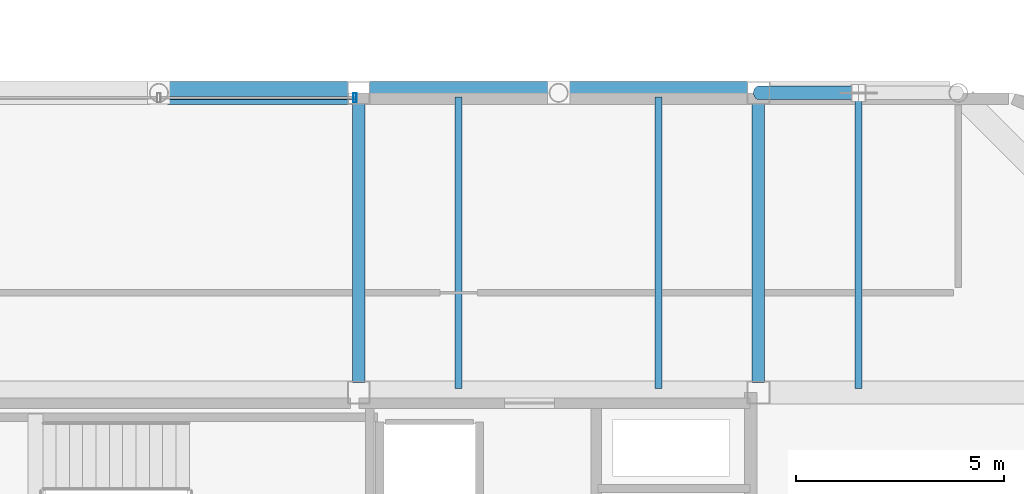
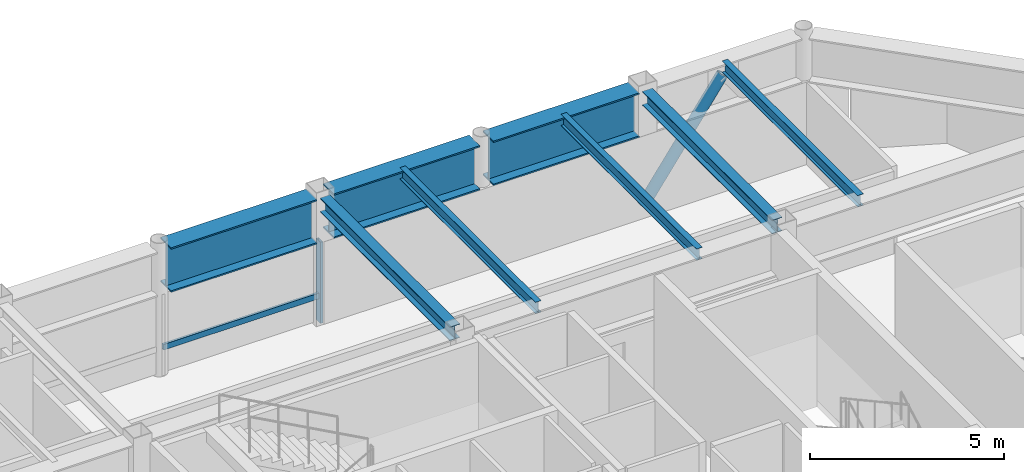
# One storey, part 14 of 23: 8 beams, 3 members, 1 element without a shape of its own.
"""IFC4 building model written with IfcOpenShell, lengths in metres."""

from ifc_helpers import new_model, si_unit, direction, frame, origin, origin_2d, place, context, subcontext, project, spatial, hollow_rectangle, hollow_circle, i_section, extrude, material, layer, layer_set, material_profile, profile_set, type_object, element, aggregate, save


model = new_model("IFC4")

# Units and contexts
model_context = context("Model", 3, precision=1e-05, world=origin(), true_north=direction((0.0, 1.0)))
body_context = subcontext(model_context, "Body", "Model", "MODEL_VIEW")
ifc_project = project(units=[si_unit("LENGTHUNIT", "METRE"), si_unit("AREAUNIT", "SQUARE_METRE"), si_unit("VOLUMEUNIT", "CUBIC_METRE"), si_unit("PLANEANGLEUNIT", "RADIAN"), si_unit("MASSUNIT", "GRAM", prefix="KILO")], contexts=[model_context])

# Site, building, storey
site_placement = place(None, origin())
site = spatial("IfcSite", under=ifc_project, at=site_placement, CompositionType="ELEMENT")
building_placement = place(site_placement, origin())
building = spatial("IfcBuilding", under=site, at=building_placement, Name="Kallvorn Hotel Tower", CompositionType="ELEMENT")
storey_placement = place(building_placement, frame((0.0, 0.0, 282.199951171875)))
storey = spatial("IfcBuildingStorey", under=building, at=storey_placement, Name="L70", CompositionType="ELEMENT", Elevation=282.199951171875)

# Beams
ifc_material_1 = material(Name="Structural steel S355JR", Category="steel")
ifc_material_profile_1 = material_profile(ifc_material_1, i_section(OverallWidth=0.300048828125, OverallDepth=0.43994140625, WebThickness=0.011474609375, FlangeThickness=0.02099609375, at=origin_2d()), Name="HE 450 A")
ifc_profile_set_1 = profile_set([ifc_material_profile_1], Name="Structural steel S355JR")
beam_type_1 = type_object("IfcBeamType", Name="BM_HE450A", PredefinedType="BEAM", material=ifc_profile_set_1)
for number, where, z_axis, x_axis, name in (
    (1, (4.800048828125, 7.449951171875, 3.780029296875), (0.0, 1.0, 0.0), (-1.0, 0.0, 0.0), "L71 Primary Y-Girder 42"),
    (2, (14.39990234375, 7.449951171875, 3.780029296875), (0.0, 1.0, 0.0), (-1.0, 0.0, 0.0), "L71 Primary Y-Girder 45"),
):
    element("IfcBeam", number, at=place(storey_placement, frame(where, z_axis=z_axis, x_axis=x_axis)), inside=storey, type_object=beam_type_1, Name=name, PredefinedType="BEAM", context=body_context, shape_type="SweptSolid", body=[
        extrude(i_section(OverallWidth=0.300048828125, OverallDepth=0.43994140625, WebThickness=0.011474609375, FlangeThickness=0.02099609375, at=origin_2d()), origin(), (0.0, 0.0, 1.0), 6.699951171875),
    ])
ifc_material_2 = material(Name="Structural steel S355JR", Category="steel")
ifc_material_profile_2 = material_profile(ifc_material_2, i_section(OverallWidth=0.169921875, OverallDepth=0.360107421875, WebThickness=0.008056640625, FlangeThickness=0.0126953125, at=origin_2d()), Name="IPE 360")
ifc_profile_set_2 = profile_set([ifc_material_profile_2], Name="Structural steel S355JR")
beam_type_2 = type_object("IfcBeamType", Name="BM_IPE360", PredefinedType="JOIST", material=ifc_profile_set_2)
for number, where, z_axis, x_axis, name in (
    (3, (7.199951171875, 7.300048828125, 3.820068359375), (0.0, 1.0, 0.0), (-1.0, 0.0, 0.0), "L71 Secondary Composite Joist 100"),
    (4, (12.0, 7.300048828125, 3.820068359375), (0.0, 1.0, 0.0), (-1.0, 0.0, 0.0), "L71 Secondary Composite Joist 102"),
    (5, (16.800048828125, 7.300048828125, 3.820068359375), (0.0, 1.0, 0.0), (-1.0, 0.0, 0.0), "L71 Secondary Composite Joist 104"),
):
    element("IfcBeam", number, at=place(storey_placement, frame(where, z_axis=z_axis, x_axis=x_axis)), inside=storey, type_object=beam_type_2, Name=name, PredefinedType="JOIST", context=body_context, shape_type="SweptSolid", body=[
        extrude(i_section(OverallWidth=0.169921875, OverallDepth=0.360107421875, WebThickness=0.008056640625, FlangeThickness=0.0126953125, at=origin_2d()), origin(), (0.0, 0.0, 1.0), 7.0),
    ])
ifc_material_3 = material(Name="Structural steel S355JR", Category="steel")
ifc_material_profile_3 = material_profile(ifc_material_3, i_section(OverallWidth=0.550048828125, OverallDepth=1.39990234375, WebThickness=0.02490234375, FlangeThickness=0.044921875, at=origin_2d()), Name="PG 1400x550x25x45")
ifc_profile_set_3 = profile_set([ifc_material_profile_3], Name="Structural steel S355JR")
beam_type_3 = type_object("IfcBeamType", Name="BM_PG_1400", PredefinedType="BEAM", material=ifc_profile_set_3)
for number, where, z_axis, x_axis, name in (
    (6, (0.20361328125, 14.39990234375, 3.300048828125), (1.0, 0.0, 0.0), (0.0, 1.0, 0.0), "L71 Primary X-Girder 21"),
    (7, (5.050048828125, 14.39990234375, 3.300048828125), (1.0, 0.0, 0.0), (0.0, 1.0, 0.0), "L71 Primary X-Girder 22"),
    (8, (9.803466796875, 14.39990234375, 3.300048828125), (1.0, 0.0, 0.0), (0.0, 1.0, 0.0), "L71 Primary X-Girder 23"),
):
    element("IfcBeam", number, at=place(storey_placement, frame(where, z_axis=z_axis, x_axis=x_axis)), inside=storey, type_object=beam_type_3, Name=name, PredefinedType="BEAM", context=body_context, shape_type="SweptSolid", body=[
        extrude(i_section(OverallWidth=0.550048828125, OverallDepth=1.39990234375, WebThickness=0.02490234375, FlangeThickness=0.044921875, at=origin_2d()), origin(), (0.0, 0.0, 1.0), 4.346435546875),
    ])

# Curtain wall, members
ifc_material_4 = material(Name="Thermally broken black-anodised aluminium AA 6063-T6", Category="aluminium")
ifc_layer = layer(ifc_material_4, 0.25)
ifc_layer_set = layer_set([ifc_layer], Name="CW_SYS_6_SUMMIT_OBS")
curtain_wall_type = type_object("IfcCurtainWallType", Name="CW_SYS_6_SUMMIT_OBS", PredefinedType="USERDEFINED", material=ifc_layer_set)
curtain_wall_placement = place(storey_placement, origin())
curtain_wall = element("IfcCurtainWall", 9, at=curtain_wall_placement, inside=storey, type_object=curtain_wall_type, Name="L70 Dark-Glass Curtain Wall CW-L70-NC", ObjectType="UNITISED CURTAIN WALL", PredefinedType="USERDEFINED")
ifc_material_5 = material(Name="Thermally broken black-anodised aluminium AA 6063-T6", Category="aluminium")
ifc_material_profile_4 = material_profile(ifc_material_5, hollow_rectangle(XDim=0.080078125, YDim=0.219970703125, WallThickness=0.0048828125, at=origin_2d()), Name="MUL 220x80")
ifc_profile_set_4 = profile_set([ifc_material_profile_4], Name="Thermally broken black-anodised aluminium AA 6063-T6")
member_type_1 = type_object("IfcMemberType", Name="CW_MULLION_220x80", PredefinedType="MULLION", material=ifc_profile_set_4)
member_1_placement = place(storey_placement, frame((4.7099609375, 14.280029296875, 0.02001953125), z_axis=(0.0, 0.0, 1.0), x_axis=(1.0, 0.0, 0.0)))
member_1 = element("IfcMember", 10, at=member_1_placement, type_object=member_type_1, Name="CW-L70-NC Mullion 02", PredefinedType="MULLION", context=body_context, shape_type="SweptSolid", body=[
    extrude(hollow_rectangle(XDim=0.080078125, YDim=0.219970703125, WallThickness=0.0048828125, at=origin_2d()), origin(), (0.0, 0.0, 1.0), 2.56005859375),
])
ifc_material_6 = material(Name="Thermally broken black-anodised aluminium AA 6063-T6", Category="aluminium")
ifc_material_profile_5 = material_profile(ifc_material_6, hollow_rectangle(XDim=0.070068359375, YDim=0.179931640625, WallThickness=0.00390625, at=origin_2d()), Name="TRN 180x70")
ifc_profile_set_5 = profile_set([ifc_material_profile_5], Name="Thermally broken black-anodised aluminium AA 6063-T6")
member_type_2 = type_object("IfcMemberType", Name="CW_TRANSOM_180x70", PredefinedType="USERDEFINED", material=ifc_profile_set_5)
member_2_placement = place(storey_placement, frame((0.0400390625, 14.280029296875, 0.85009765625), z_axis=(1.0, 0.0, 0.0), x_axis=(0.0, 1.0, 0.0)))
member_2 = element("IfcMember", 11, at=member_2_placement, type_object=member_type_2, Name="CW-L70-NC Transom 01M", ObjectType="TRANSOM", PredefinedType="USERDEFINED", context=body_context, shape_type="SweptSolid", body=[
    extrude(hollow_rectangle(XDim=0.070068359375, YDim=0.179931640625, WallThickness=0.00390625, at=origin_2d()), origin(), (0.0, 0.0, 1.0), 4.669921875),
])
aggregate(curtain_wall, [member_1, member_2])

# Member
ifc_material_7 = material(Name="Structural steel S355J2H", Category="steel")
ifc_material_profile_6 = material_profile(ifc_material_7, hollow_circle(Radius=0.161865234375, WallThickness=0.012451171875, at=origin_2d()), Name="CHS 323.9x12.5")
ifc_profile_set_6 = profile_set([ifc_material_profile_6], Name="Structural steel S355J2H")
member_type_3 = type_object("IfcMemberType", Name="MBR_EXO_CHS323", PredefinedType="BRACE", material=ifc_profile_set_6)
member_3_placement = place(storey_placement, frame((14.41162109375, 14.39990234375, 0.1962890625), z_axis=(0.581238193719, 0.0, 0.813733471207), x_axis=(0.0, 1.0, 0.0)))
element("IfcMember", 12, at=member_3_placement, inside=storey, type_object=member_type_3, Name="L70 Exoskeleton K-Brace N2A", PredefinedType="BRACE", context=body_context, shape_type="SweptSolid", body=[
    extrude(hollow_circle(Radius=0.161865234375, WallThickness=0.012451171875, at=origin_2d()), origin(), (0.0, 0.0, 1.0), 4.089111328125),
])

save(model, "model.ifc")
